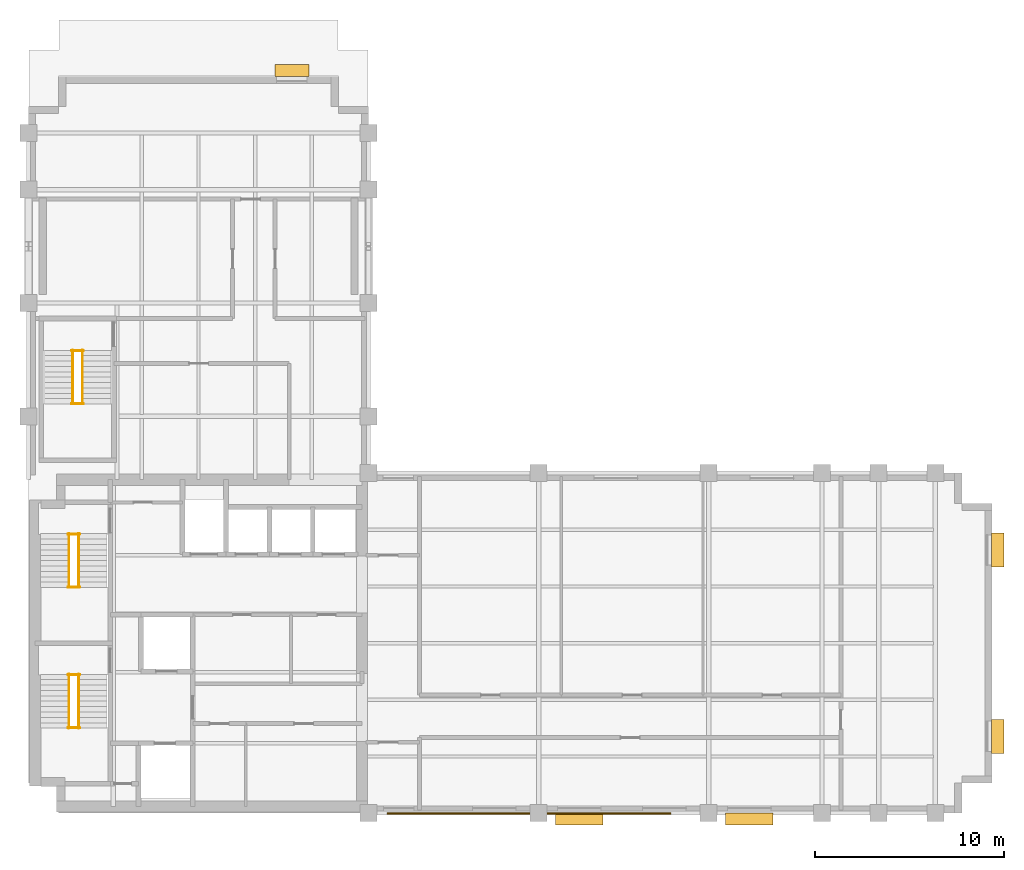
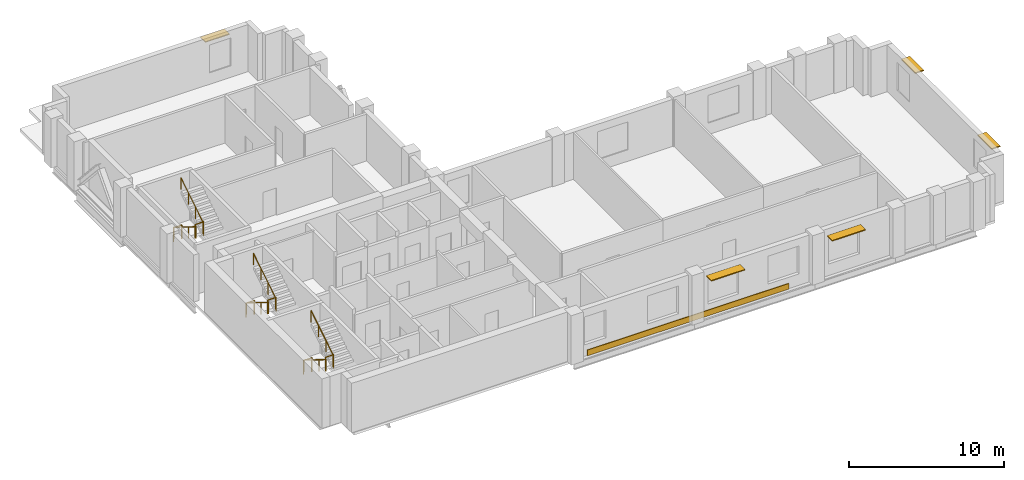
# One storey, part 6 of 6: 12 railings, 5 shading devices, 1 covering.
"""IFC4 building model written with IfcOpenShell, lengths in metres."""

from ifc_helpers import new_model, si_unit, direction, frame, origin, origin_2d, place, context, subcontext, project, spatial, polyline, rectangle, circle, outline, extrude, material, layer, layer_set, type_object, element, save


model = new_model("IFC4")

# Units and contexts
model_context = context("Model", 3, precision=1e-05, world=origin(), true_north=direction((0.0, 1.0)))
body_context = subcontext(model_context, "Body", "Model", "MODEL_VIEW")
ifc_project = project(units=[si_unit("LENGTHUNIT", "METRE"), si_unit("AREAUNIT", "SQUARE_METRE"), si_unit("VOLUMEUNIT", "CUBIC_METRE"), si_unit("PLANEANGLEUNIT", "RADIAN"), si_unit("MASSUNIT", "GRAM", prefix="KILO")], contexts=[model_context])

# Site, building, storey
site_placement = place(None, origin())
site = spatial("IfcSite", under=ifc_project, at=site_placement, CompositionType="ELEMENT")
building_placement = place(site_placement, origin())
building = spatial("IfcBuilding", under=site, at=building_placement, Name="Mawjdan Bourse Tower", CompositionType="ELEMENT")
storey_placement = place(building_placement, frame((0.0, 0.0, 199.5)))
storey = spatial("IfcBuildingStorey", under=building, at=storey_placement, Name="L48", CompositionType="ELEMENT", Elevation=199.5)

# Covering
ifc_material_1 = material(Name="Honed Qatari Limestone Coping", Category="masonry")
ifc_layer_1 = layer(ifc_material_1, 0.054931640625)
ifc_layer_set_1 = layer_set([ifc_layer_1], Name="Honed Qatari Limestone Coping")
covering_type = type_object("IfcCoveringType", Name="COV-CLD-SPN", PredefinedType="CLADDING", material=ifc_layer_set_1)
covering_placement = place(storey_placement, origin())
element("IfcCovering", 1, at=covering_placement, inside=storey, type_object=covering_type, Name="L48 Limestone Spandrel Coping Trim", PredefinedType="CLADDING", context=body_context, shape_type="SweptSolid", body=[
    extrude(outline(polyline([(25.0, 2.949951171875), (40.0, 2.949951171875), (40.0, 3.010009765625), (25.0, 3.010009765625), (25.0, 2.949951171875)])), origin(), (0.0, 0.0, 1.0), 0.449951171875),
])

# Railings
ifc_material_2 = material(Name="Structural Steel S355", Category="steel")
railing_type_1 = type_object("IfcRailingType", Name="RLG-GRD-1100", PredefinedType="GUARDRAIL", material=ifc_material_2)
for number, where, name in (
    (2, (8.090087890625, 7.52001953125, 1.949951171875), "L48 ST1 Landing Guardrail GL-MID"),
    (3, (8.090087890625, 10.330078125, 0.0), "L48 ST1 Landing Guardrail GL-BOT"),
    (4, (8.090087890625, 14.9599609375, 1.949951171875), "L48 ST2 Landing Guardrail GL-MID"),
    (5, (8.090087890625, 17.77001953125, 0.0), "L48 ST2 Landing Guardrail GL-BOT"),
    (6, (8.2900390625, 24.669921875, 1.949951171875), "L48 ST3 Landing Guardrail GL-MID"),
    (7, (8.2900390625, 27.47998046875, 0.0), "L48 ST3 Landing Guardrail GL-BOT"),
):
    element("IfcRailing", number, at=place(storey_placement, frame(where)), inside=storey, type_object=railing_type_1, Name=name, PredefinedType="GUARDRAIL", context=body_context, shape_type="SweptSolid", body=[
        extrude(circle(Radius=0.02490234375, at=origin_2d()), frame((0.0, 0.0, 1.0751953125), z_axis=(1.0, 0.0, 0.0), x_axis=(0.0, 1.0, 0.0)), (0.0, 0.0, 1.0), 0.619873046875),
        extrude(circle(Radius=0.02099609375, at=origin_2d()), origin(), (0.0, 0.0, 1.0), 1.050048828125),
        extrude(circle(Radius=0.02099609375, at=origin_2d()), frame((0.619873046875, 0.0, 0.0)), (0.0, 0.0, 1.0), 1.050048828125),
    ])
ifc_material_3 = material(Name="Brushed Stainless Steel", Category="steel")
railing_type_2 = type_object("IfcRailingType", Name="RLG-HND-920", PredefinedType="HANDRAIL", material=ifc_material_3)
railing_1_placement = place(storey_placement, frame((8.139892578125, 10.35009765625, 0.17724609375)))
element("IfcRailing", 8, at=railing_1_placement, inside=storey, type_object=railing_type_2, Name="L48 ST1 Flight Handrail HR1", PredefinedType="HANDRAIL", context=body_context, shape_type="SweptSolid", body=[
    extrude(circle(Radius=0.0224609375, at=origin_2d()), frame((0.0, 0.0, 0.8974609375), z_axis=(0.0, -0.849148672731, 0.528153890072), x_axis=(1.0, 0.0, 0.0)), (0.0, 0.0, 1.0), 3.3564453125),
    extrude(circle(Radius=0.01904296875, at=origin_2d()), origin(), (0.0, 0.0, 1.0), 0.875),
    extrude(circle(Radius=0.01904296875, at=origin_2d()), frame((0.0, -0.949951171875, 0.5908203125)), (0.0, 0.0, 1.0), 0.875),
    extrude(circle(Radius=0.01904296875, at=origin_2d()), frame((0.0, -1.900146484375, 1.181884765625)), (0.0, 0.0, 1.0), 0.875),
    extrude(circle(Radius=0.01904296875, at=origin_2d()), frame((0.0, -2.85009765625, 1.772705078125)), (0.0, 0.0, 1.0), 0.875),
])
railing_2_placement = place(storey_placement, frame((8.659912109375, 7.5, 2.127197265625)))
element("IfcRailing", 9, at=railing_2_placement, inside=storey, type_object=railing_type_2, Name="L48 ST1 Flight Handrail HR2", PredefinedType="HANDRAIL", context=body_context, shape_type="SweptSolid", body=[
    extrude(circle(Radius=0.0224609375, at=origin_2d()), frame((0.0, 0.0, 0.8974609375), z_axis=(0.0, 0.849148672731, 0.528153890072), x_axis=(-1.0, 0.0, 0.0)), (0.0, 0.0, 1.0), 3.3564453125),
    extrude(circle(Radius=0.01904296875, at=origin_2d()), origin(), (0.0, 0.0, 1.0), 0.875),
    extrude(circle(Radius=0.01904296875, at=origin_2d()), frame((0.0, 0.949951171875, 0.5908203125)), (0.0, 0.0, 1.0), 0.875),
    extrude(circle(Radius=0.01904296875, at=origin_2d()), frame((0.0, 1.900146484375, 1.181884765625)), (0.0, 0.0, 1.0), 0.875),
    extrude(circle(Radius=0.01904296875, at=origin_2d()), frame((0.0, 2.85009765625, 1.772705078125)), (0.0, 0.0, 1.0), 0.875),
])
railing_3_placement = place(storey_placement, frame((8.139892578125, 17.7900390625, 0.17724609375)))
element("IfcRailing", 10, at=railing_3_placement, inside=storey, type_object=railing_type_2, Name="L48 ST2 Flight Handrail HR1", PredefinedType="HANDRAIL", context=body_context, shape_type="SweptSolid", body=[
    extrude(circle(Radius=0.0224609375, at=origin_2d()), frame((0.0, 0.0, 0.8974609375), z_axis=(0.0, -0.849148672731, 0.528153890072), x_axis=(1.0, 0.0, 0.0)), (0.0, 0.0, 1.0), 3.3564453125),
    extrude(circle(Radius=0.01904296875, at=origin_2d()), origin(), (0.0, 0.0, 1.0), 0.875),
    extrude(circle(Radius=0.01904296875, at=origin_2d()), frame((0.0, -0.949951171875, 0.5908203125)), (0.0, 0.0, 1.0), 0.875),
    extrude(circle(Radius=0.01904296875, at=origin_2d()), frame((0.0, -1.900146484375, 1.181884765625)), (0.0, 0.0, 1.0), 0.875),
    extrude(circle(Radius=0.01904296875, at=origin_2d()), frame((0.0, -2.85009765625, 1.772705078125)), (0.0, 0.0, 1.0), 0.875),
])
railing_4_placement = place(storey_placement, frame((8.659912109375, 14.93994140625, 2.127197265625)))
element("IfcRailing", 11, at=railing_4_placement, inside=storey, type_object=railing_type_2, Name="L48 ST2 Flight Handrail HR2", PredefinedType="HANDRAIL", context=body_context, shape_type="SweptSolid", body=[
    extrude(circle(Radius=0.0224609375, at=origin_2d()), frame((0.0, 0.0, 0.8974609375), z_axis=(0.0, 0.849148672731, 0.528153890072), x_axis=(-1.0, 0.0, 0.0)), (0.0, 0.0, 1.0), 3.3564453125),
    extrude(circle(Radius=0.01904296875, at=origin_2d()), origin(), (0.0, 0.0, 1.0), 0.875),
    extrude(circle(Radius=0.01904296875, at=origin_2d()), frame((0.0, 0.949951171875, 0.5908203125)), (0.0, 0.0, 1.0), 0.875),
    extrude(circle(Radius=0.01904296875, at=origin_2d()), frame((0.0, 1.900146484375, 1.181884765625)), (0.0, 0.0, 1.0), 0.875),
    extrude(circle(Radius=0.01904296875, at=origin_2d()), frame((0.0, 2.85009765625, 1.772705078125)), (0.0, 0.0, 1.0), 0.875),
])
railing_5_placement = place(storey_placement, frame((8.340087890625, 27.5, 0.17724609375)))
element("IfcRailing", 12, at=railing_5_placement, inside=storey, type_object=railing_type_2, Name="L48 ST3 Flight Handrail HR1", PredefinedType="HANDRAIL", context=body_context, shape_type="SweptSolid", body=[
    extrude(circle(Radius=0.0224609375, at=origin_2d()), frame((0.0, 0.0, 0.8974609375), z_axis=(0.0, -0.849148672731, 0.528153890072), x_axis=(1.0, 0.0, 0.0)), (0.0, 0.0, 1.0), 3.3564453125),
    extrude(circle(Radius=0.01904296875, at=origin_2d()), origin(), (0.0, 0.0, 1.0), 0.875),
    extrude(circle(Radius=0.01904296875, at=origin_2d()), frame((0.0, -0.949951171875, 0.5908203125)), (0.0, 0.0, 1.0), 0.875),
    extrude(circle(Radius=0.01904296875, at=origin_2d()), frame((0.0, -1.900146484375, 1.181884765625)), (0.0, 0.0, 1.0), 0.875),
    extrude(circle(Radius=0.01904296875, at=origin_2d()), frame((0.0, -2.85009765625, 1.772705078125)), (0.0, 0.0, 1.0), 0.875),
])
railing_6_placement = place(storey_placement, frame((8.860107421875, 24.64990234375, 2.127197265625)))
element("IfcRailing", 13, at=railing_6_placement, inside=storey, type_object=railing_type_2, Name="L48 ST3 Flight Handrail HR2", PredefinedType="HANDRAIL", context=body_context, shape_type="SweptSolid", body=[
    extrude(circle(Radius=0.0224609375, at=origin_2d()), frame((0.0, 0.0, 0.8974609375), z_axis=(0.0, 0.849148672731, 0.528153890072), x_axis=(-1.0, 0.0, 0.0)), (0.0, 0.0, 1.0), 3.3564453125),
    extrude(circle(Radius=0.01904296875, at=origin_2d()), origin(), (0.0, 0.0, 1.0), 0.875),
    extrude(circle(Radius=0.01904296875, at=origin_2d()), frame((0.0, 0.949951171875, 0.5908203125)), (0.0, 0.0, 1.0), 0.875),
    extrude(circle(Radius=0.01904296875, at=origin_2d()), frame((0.0, 1.900146484375, 1.181884765625)), (0.0, 0.0, 1.0), 0.875),
    extrude(circle(Radius=0.01904296875, at=origin_2d()), frame((0.0, 2.85009765625, 1.772705078125)), (0.0, 0.0, 1.0), 0.875),
])

# Shading devices
ifc_material_4 = material(Name="Bronze Anodised Aluminium", Category="aluminium")
ifc_layer_2 = layer(ifc_material_4, 0.074951171875)
ifc_layer_set_2 = layer_set([ifc_layer_2], Name="Bronze Anodised Aluminium")
shading_device_type = type_object("IfcShadingDeviceType", Name="SHD-SUN-650", PredefinedType="USERDEFINED", material=ifc_layer_set_2)
for number, where, z_axis, x_axis, name in (
    (14, (35.14990234375, 2.695068359375, 3.10009765625), (0.0, 0.0, 1.0), (1.0, 0.0, 0.0), "L48 Solar Window Hood 02"),
    (15, (44.14990234375, 2.695068359375, 3.10009765625), (0.0, 0.0, 1.0), (1.0, 0.0, 0.0), "L48 Solar Window Hood 04"),
):
    element("IfcShadingDevice", number, at=place(storey_placement, frame(where, z_axis=z_axis, x_axis=x_axis)), inside=storey, type_object=shading_device_type, Name=name, ObjectType="SUNSHADE", PredefinedType="USERDEFINED", context=body_context, shape_type="SweptSolid", body=[
        extrude(rectangle(XDim=2.5, YDim=0.64990234375, at=origin_2d()), origin(), (0.0, 0.0, 1.0), 0.074951171875),
    ])
for number, where, z_axis, x_axis, name in (
    (16, (57.304931640625, 7.066650390625, 3.10009765625), (0.0, 0.0, 1.0), (0.0, 1.0, 0.0), "L48 Solar Window Hood 05"),
    (17, (57.304931640625, 16.933349609375, 3.10009765625), (0.0, 0.0, 1.0), (0.0, 1.0, 0.0), "L48 Solar Window Hood 06"),
    (18, (19.933349609375, 42.304931640625, 3.10009765625), (0.0, 0.0, 1.0), (-1.0, 0.0, 0.0), "L48 Solar Window Hood 08"),
):
    element("IfcShadingDevice", number, at=place(storey_placement, frame(where, z_axis=z_axis, x_axis=x_axis)), inside=storey, type_object=shading_device_type, Name=name, ObjectType="SUNSHADE", PredefinedType="USERDEFINED", context=body_context, shape_type="SweptSolid", body=[
        extrude(rectangle(XDim=1.800048828125, YDim=0.64990234375, at=origin_2d()), origin(), (0.0, 0.0, 1.0), 0.074951171875),
    ])

save(model, "model.ifc")
